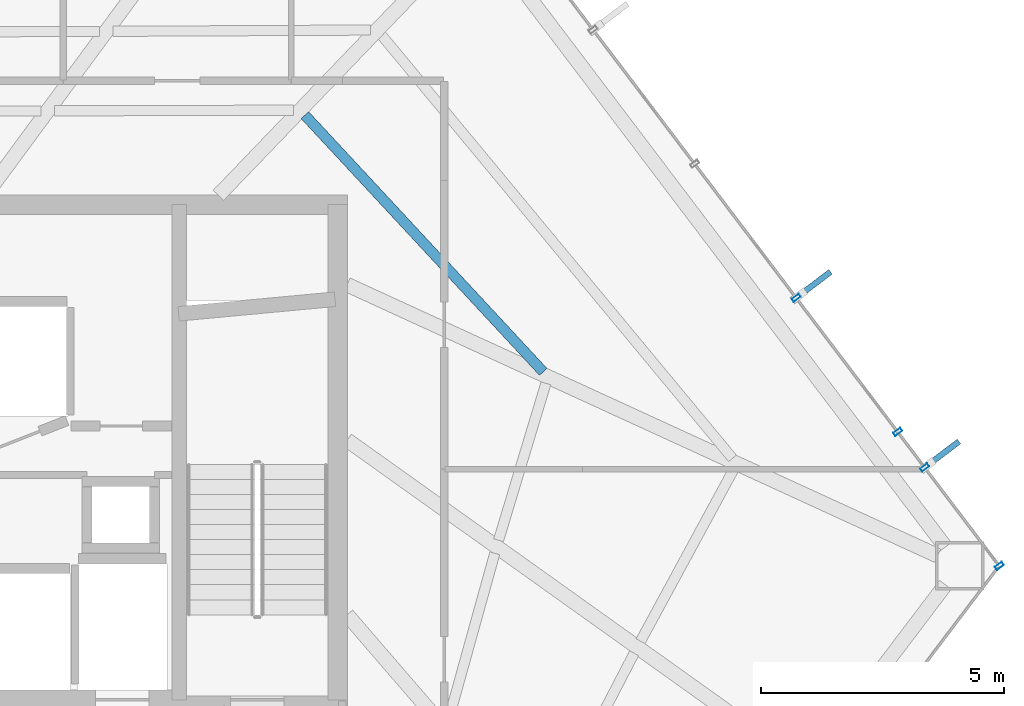
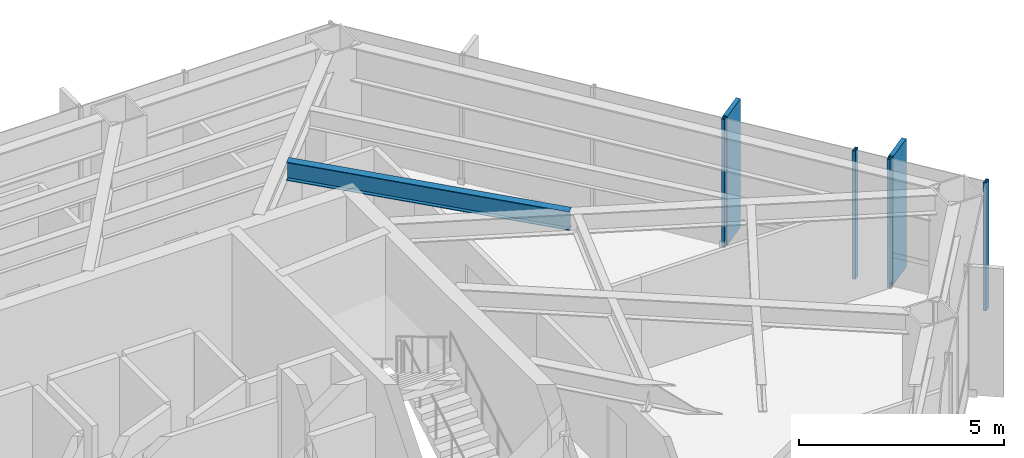
# One storey, part 16 of 24: 6 members, 1 beam, 1 element without a shape of its own.
"""IFC4 building model written with IfcOpenShell, lengths in metres."""

import ifcopenshell
import ifcopenshell.guid

model = None  # the IFC model being written
_history = None  # IfcOwnerHistory: only IFC2X3 demands one
_inside = {}  # id of a spatial element -> (the spatial element, [elements in it])
_under = {}  # id of a project, library or spatial element -> (it, [spatial elements below it])
_declared = {}  # id of a project -> (the project, [libraries it declares])
_typed = {}  # id of a type object -> (the type object, [elements of that type])
_made_of = {}  # id of a material, layer set ... -> (it, [elements and type objects made of it])


def new_model(schema):
    """Start an empty IFC model of exactly this schema.

    Asked for "IFC4X3", IfcOpenShell would pick the latest addendum, in which some entities
    have other attributes; the version numbers below select the first issue.
    IFC2X3 requires an IfcOwnerHistory on every rooted entity: one is made here for all.
    """
    global model, _history
    if schema == "IFC4X3":
        model = ifcopenshell.file(schema_version=(4, 3, 0, 0))
    else:
        model = ifcopenshell.file(schema=schema)
    _inside.clear()
    _under.clear()
    _declared.clear()
    _typed.clear()
    _made_of.clear()
    _history = None
    if model.schema == "IFC2X3":
        org = make("IfcOrganization", Name="unknown")
        user = make(
            "IfcPersonAndOrganization",
            ThePerson=make("IfcPerson", FamilyName="unknown"),
            TheOrganization=org,
        )
        app = make(
            "IfcApplication",
            ApplicationDeveloper=org,
            Version="unknown",
            ApplicationFullName="unknown",
            ApplicationIdentifier="unknown",
        )
        _history = make(
            "IfcOwnerHistory",
            OwningUser=user,
            OwningApplication=app,
            ChangeAction="ADDED",
            CreationDate=0,
        )
    return model


def make(cls, **values):
    """One entity of the class cls with the attributes given. An attribute that is None is left unset."""
    return model.create_entity(
        cls, **{name: value for name, value in values.items() if value is not None}
    )


def rooted(cls, **values):
    """An entity with a GlobalId (a new one), such as an element, a storey or a relation."""
    return make(cls, GlobalId=ifcopenshell.guid.new(), OwnerHistory=_history, **values)


def si_unit(unit_type, name, prefix=None):
    """IfcSIUnit, for example si_unit("LENGTHUNIT", "METRE", prefix="MILLI")."""
    return make("IfcSIUnit", UnitType=unit_type, Prefix=prefix, Name=name)


def assignment(units):
    """IfcUnitAssignment: the units of a project."""
    return None if units is None else make("IfcUnitAssignment", Units=units)


def point(xyz):
    """IfcCartesianPoint."""
    return None if xyz is None else make("IfcCartesianPoint", Coordinates=xyz)


def direction(xyz):
    """IfcDirection."""
    return None if xyz is None else make("IfcDirection", DirectionRatios=xyz)


def frame(location, z_axis=None, x_axis=None):
    """IfcAxis2Placement3D, a coordinate frame: its origin and axes. An axis left out is left unset."""
    return make(
        "IfcAxis2Placement3D",
        Location=point(location),
        Axis=direction(z_axis),
        RefDirection=direction(x_axis),
    )


def frame_2d(location, x_axis=None):
    """IfcAxis2Placement2D, a coordinate frame in the plane: its origin and x axis."""
    return make(
        "IfcAxis2Placement2D", Location=point(location), RefDirection=direction(x_axis)
    )


def origin():
    """The frame at (0, 0, 0) with its axes left unset."""
    return frame((0.0, 0.0, 0.0))


def origin_2d():
    """The frame at (0, 0) in the plane with its x axis left unset."""
    return frame_2d((0.0, 0.0))


def place(relative_to, where):
    """IfcLocalPlacement: puts the frame where relative to a parent placement (None: the world)."""
    return make(
        "IfcLocalPlacement", PlacementRelTo=relative_to, RelativePlacement=where
    )


def context(
    kind, dimensions, precision=None, world=None, true_north=None, identifier=None
):
    """IfcGeometricRepresentationContext, for example the 3D "Model" context."""
    return make(
        "IfcGeometricRepresentationContext",
        ContextIdentifier=identifier,
        ContextType=kind,
        CoordinateSpaceDimension=dimensions,
        Precision=precision,
        WorldCoordinateSystem=world,
        TrueNorth=true_north,
    )


def subcontext(parent, identifier, kind, view, scale=None):
    """IfcGeometricRepresentationSubContext, for example "Body" below "Model"."""
    return make(
        "IfcGeometricRepresentationSubContext",
        ContextIdentifier=identifier,
        ContextType=kind,
        ParentContext=parent,
        TargetScale=scale,
        TargetView=view,
    )


def project(units=None, contexts=None):
    """IfcProject with its units and contexts."""
    return rooted(
        "IfcProject",
        Name="project",
        RepresentationContexts=contexts,
        UnitsInContext=assignment(units),
    )


def spatial(cls, under=None, at=None, **own):
    """A site, building, storey or space (cls), placed at a placement, below another one or the project."""
    s = rooted(cls, ObjectPlacement=at, **own)
    if under is not None:
        _under.setdefault(under.id(), (under, []))[1].append(s)
    return s


def profile(cls, at=None, kind="AREA", **sizes):
    """A parametric profile (cls). Its sizes go by their IFC names, for example OverallWidth=200.0."""
    return make(cls, ProfileType=kind, Position=at, **sizes)


def rectangle(**sizes):
    """IfcRectangleProfileDef."""
    return profile("IfcRectangleProfileDef", **sizes)


def hollow_rectangle(**sizes):
    """IfcRectangleHollowProfileDef."""
    return profile("IfcRectangleHollowProfileDef", **sizes)


def i_section(**sizes):
    """IfcIShapeProfileDef."""
    return profile("IfcIShapeProfileDef", **sizes)


def extrude(swept, where, along, depth):
    """IfcExtrudedAreaSolid: the profile swept, set in the frame where, extruded along a direction by depth."""
    return make(
        "IfcExtrudedAreaSolid",
        SweptArea=swept,
        Position=where,
        ExtrudedDirection=direction(along),
        Depth=depth,
    )


def shape(context_of_items, identifier, shape_type, items):
    """IfcShapeRepresentation: the items that make up one representation, for example the "Body"."""
    return make(
        "IfcShapeRepresentation",
        ContextOfItems=context_of_items,
        RepresentationIdentifier=identifier,
        RepresentationType=shape_type,
        Items=items,
    )


def material(Name=None, Category=None):
    """IfcMaterial."""
    return make("IfcMaterial", Name=Name, Category=Category)


def layer(
    of_material, thickness, ventilated=None, Name=None, Category=None, Priority=None
):
    """IfcMaterialLayer: one layer of a wall or slab, of a material (None: an air gap)."""
    return make(
        "IfcMaterialLayer",
        Material=of_material,
        LayerThickness=thickness,
        IsVentilated=ventilated,
        Name=Name,
        Category=Category,
        Priority=Priority,
    )


def layer_set(layers, Name=None):
    """IfcMaterialLayerSet."""
    return make("IfcMaterialLayerSet", MaterialLayers=layers, LayerSetName=Name)


def material_profile(
    of_material, cross_section, Name=None, Category=None, Priority=None
):
    """IfcMaterialProfile: a cross section and its material."""
    return make(
        "IfcMaterialProfile",
        Name=Name,
        Material=of_material,
        Profile=cross_section,
        Priority=Priority,
        Category=Category,
    )


def profile_set(profiles, Name=None, composite=None):
    """IfcMaterialProfileSet."""
    return make(
        "IfcMaterialProfileSet",
        Name=Name,
        MaterialProfiles=profiles,
        CompositeProfile=composite,
    )


def made_of(thing, what):
    """Note that an element or type object is made of a material, layer set ...; save() writes the relation."""
    if what is not None:
        _made_of.setdefault(what.id(), (what, []))[1].append(thing)
    return thing


def type_object(cls, material=None, **own):
    """A type object (cls), such as IfcWallType, which elements share."""
    return made_of(rooted(cls, **own), material)


def element(
    cls,
    number,
    at=None,
    inside=None,
    cuts=None,
    type_object=None,
    material=None,
    context=None,
    identifier="Body",
    shape_type=None,
    held_by="IfcProductDefinitionShape",
    body=None,
    shapes=None,
    **own,
):
    """One element of the class cls, such as IfcWall. Its Tag is "e" and its number.

    at: its placement. inside: the storey or other place that contains it. cuts: it is an
    opening in that element (IfcRelVoidsElement). A single representation is given by context,
    identifier, shape_type and body (its items); several are given by shapes. held_by: the class
    of the entity that holds the representations. save() writes the other relations.
    """
    e = rooted(cls, Tag="e%d" % number, ObjectPlacement=at, **own)
    if body is not None:
        shapes = [shape(context, identifier, shape_type, body)]
    if shapes is not None:
        e.Representation = make(held_by, Representations=shapes)
    if inside is not None:
        _inside.setdefault(inside.id(), (inside, []))[1].append(e)
    if cuts is not None:
        rooted(
            "IfcRelVoidsElement", RelatingBuildingElement=cuts, RelatedOpeningElement=e
        )
    if type_object is not None:
        _typed.setdefault(type_object.id(), (type_object, []))[1].append(e)
    return made_of(e, material)


def aggregate(whole, parts):
    """IfcRelAggregates: a whole, such as a stair, and the parts it consists of."""
    return rooted("IfcRelAggregates", RelatingObject=whole, RelatedObjects=parts)


def save(model, path):
    """Write the relations noted so far, then the file.

    IfcRelAggregates (storeys below a building ...), IfcRelContainedInSpatialStructure (elements
    in a storey), IfcRelDefinesByType, IfcRelAssociatesMaterial and IfcRelDeclares: one each for
    every whole, place, type object, material and project.
    """
    for whole, parts in _under.values():
        aggregate(whole, parts)
    for where, things in _inside.values():
        rooted(
            "IfcRelContainedInSpatialStructure",
            RelatedElements=things,
            RelatingStructure=where,
        )
    for kind, things in _typed.values():
        rooted("IfcRelDefinesByType", RelatedObjects=things, RelatingType=kind)
    for what, things in _made_of.values():
        rooted("IfcRelAssociatesMaterial", RelatedObjects=things, RelatingMaterial=what)
    for by, libraries in _declared.values():
        rooted("IfcRelDeclares", RelatingContext=by, RelatedDefinitions=libraries)
    model.write(path)


model = new_model("IFC4")

# Units and contexts
model_context = context("Model", 3, precision=1e-05, world=origin(), true_north=direction((0.0, 1.0)))
body_context = subcontext(model_context, "Body", "Model", "MODEL_VIEW")
ifc_project = project(units=[si_unit("LENGTHUNIT", "METRE"), si_unit("AREAUNIT", "SQUARE_METRE"), si_unit("VOLUMEUNIT", "CUBIC_METRE"), si_unit("PLANEANGLEUNIT", "RADIAN"), si_unit("MASSUNIT", "GRAM", prefix="KILO")], contexts=[model_context])

# Site, building, storey
site_placement = place(None, origin())
site = spatial("IfcSite", under=ifc_project, at=site_placement, CompositionType="ELEMENT")
building_placement = place(site_placement, origin())
building = spatial("IfcBuilding", under=site, at=building_placement, Name="Zarrinselat Tower", CompositionType="ELEMENT")
storey_placement = place(building_placement, frame((0.0, 0.0, 64.260009765625)))
storey = spatial("IfcBuildingStorey", under=building, at=storey_placement, Name="L15", CompositionType="ELEMENT", Elevation=64.260009765625)

# Beam
ifc_material_1 = material(Name="Steel S355J2", Category="steel")
ifc_material_profile_1 = material_profile(ifc_material_1, i_section(OverallWidth=0.2099609375, OverallDepth=0.550048828125, WebThickness=0.010986328125, FlangeThickness=0.01708984375, at=origin_2d()), Name="IPE 550")
ifc_profile_set_1 = profile_set([ifc_material_profile_1], Name="Steel S355J2")
beam_type = type_object("IfcBeamType", Name="BM-IPE550", PredefinedType="JOIST", material=ifc_profile_set_1)
beam_placement = place(storey_placement, frame((47.580078125, 45.29150390625, 3.544921875), z_axis=(0.68046537645, -0.732780234076, 0.0), x_axis=(0.732780234076, 0.68046537645, 0.0)))
element("IfcBeam", 1, at=beam_placement, inside=storey, type_object=beam_type, Name="L15 Composite Floor Joist 6-2", PredefinedType="JOIST", context=body_context, shape_type="SweptSolid", body=[
    extrude(i_section(OverallWidth=0.2099609375, OverallDepth=0.550048828125, WebThickness=0.010986328125, FlangeThickness=0.01708984375, at=origin_2d()), origin(), (0.0, 0.0, 1.0), 7.21484375),
])

# Curtain wall, members
ifc_material_2 = material(Name="Extruded Aluminium Alloy EN AW-6063 T6", Category="aluminium")
ifc_layer = layer(ifc_material_2, 0.18505859375)
ifc_layer_set = layer_set([ifc_layer], Name="Extruded Aluminium Alloy EN AW-6063 T6")
curtain_wall_type = type_object("IfcCurtainWallType", Name="CWS-OFF", PredefinedType="NOTDEFINED", material=ifc_layer_set)
curtain_wall_placement = place(storey_placement, origin())
curtain_wall = element("IfcCurtainWall", 2, at=curtain_wall_placement, inside=storey, type_object=curtain_wall_type, Name="L15 Unitised Curtain Wall CW-L15-E03", PredefinedType="NOTDEFINED")
ifc_material_3 = material(Name="Extruded Aluminium Alloy EN AW-6063 T6", Category="aluminium")
ifc_material_profile_2 = material_profile(ifc_material_3, hollow_rectangle(XDim=0.080078125, YDim=0.179931640625, WallThickness=0.0048828125, at=origin_2d()), Name="RHS 180x80x5")
ifc_profile_set_2 = profile_set([ifc_material_profile_2], Name="Extruded Aluminium Alloy EN AW-6063 T6")
member_type_1 = type_object("IfcMemberType", Name="MEM-CW-MUL", PredefinedType="MULLION", material=ifc_profile_set_2)
member_1_placement = place(storey_placement, frame((57.699951171875, 41.529296875, 0.0), z_axis=(0.0, 0.0, 1.0), x_axis=(0.603859800485, -0.797090547779, 0.0)))
member_1 = element("IfcMember", 3, at=member_1_placement, type_object=member_type_1, Name="CW-L15-E03 Mullion 3", PredefinedType="MULLION", context=body_context, shape_type="SweptSolid", body=[
    extrude(hollow_rectangle(XDim=0.080078125, YDim=0.179931640625, WallThickness=0.0048828125, at=origin_2d()), origin(), (0.0, 0.0, 1.0), 3.820068359375),
])
member_2_placement = place(storey_placement, frame((59.791259765625, 38.768798828125, 0.0), z_axis=(0.0, 0.0, 1.0), x_axis=(0.603859800485, -0.797090547779, 0.0)))
member_2 = element("IfcMember", 4, at=member_2_placement, type_object=member_type_1, Name="CW-L15-E03 Mullion 4", PredefinedType="MULLION", context=body_context, shape_type="SweptSolid", body=[
    extrude(hollow_rectangle(XDim=0.080078125, YDim=0.179931640625, WallThickness=0.0048828125, at=origin_2d()), origin(), (0.0, 0.0, 1.0), 3.820068359375),
])
member_3_placement = place(storey_placement, frame((60.34619140625, 38.0361328125, 0.0), z_axis=(0.0, 0.0, 1.0), x_axis=(0.603859800485, -0.797090547779, 0.0)))
member_3 = element("IfcMember", 5, at=member_3_placement, type_object=member_type_1, Name="CW-L15-E03 Mullion 5", PredefinedType="MULLION", context=body_context, shape_type="SweptSolid", body=[
    extrude(hollow_rectangle(XDim=0.080078125, YDim=0.179931640625, WallThickness=0.0048828125, at=origin_2d()), origin(), (0.0, 0.0, 1.0), 3.820068359375),
])
member_4_placement = place(storey_placement, frame((61.8828125, 36.00830078125, 0.0), z_axis=(0.0, 0.0, 1.0), x_axis=(0.603859800485, -0.797090547779, 0.0)))
member_4 = element("IfcMember", 6, at=member_4_placement, type_object=member_type_1, Name="CW-L15-E03 Mullion 6", PredefinedType="MULLION", context=body_context, shape_type="SweptSolid", body=[
    extrude(hollow_rectangle(XDim=0.080078125, YDim=0.179931640625, WallThickness=0.0048828125, at=origin_2d()), origin(), (0.0, 0.0, 1.0), 3.820068359375),
])
ifc_material_4 = material(Name="Honed Cream Travertine Stone", Category="masonry")
ifc_material_profile_3 = material_profile(ifc_material_4, rectangle(XDim=0.1201171875, YDim=0.85009765625, at=origin_2d()), Name="FIN 850x120")
ifc_profile_set_3 = profile_set([ifc_material_profile_3], Name="Honed Cream Travertine Stone")
member_type_2 = type_object("IfcMemberType", Name="MEM-STONE-FIN", PredefinedType="USERDEFINED", material=ifc_profile_set_3)
member_5_placement = place(storey_placement, frame((58.066650390625, 41.80712890625, 0.0), z_axis=(0.0, 0.0, 1.0), x_axis=(0.603859800485, -0.797090547779, 0.0)))
member_5 = element("IfcMember", 7, at=member_5_placement, type_object=member_type_2, Name="L15 Stone Shading Fin CW-L15-E03-03", ObjectType="FIN", PredefinedType="USERDEFINED", context=body_context, shape_type="SweptSolid", body=[
    extrude(rectangle(XDim=0.1201171875, YDim=0.85009765625, at=origin_2d()), origin(), (0.0, 0.0, 1.0), 3.820068359375),
])
member_6_placement = place(storey_placement, frame((60.712890625, 38.31396484375, 0.0), z_axis=(0.0, 0.0, 1.0), x_axis=(0.603859800485, -0.797090547779, 0.0)))
member_6 = element("IfcMember", 8, at=member_6_placement, type_object=member_type_2, Name="L15 Stone Shading Fin CW-L15-E03-05", ObjectType="FIN", PredefinedType="USERDEFINED", context=body_context, shape_type="SweptSolid", body=[
    extrude(rectangle(XDim=0.1201171875, YDim=0.85009765625, at=origin_2d()), origin(), (0.0, 0.0, 1.0), 3.820068359375),
])
aggregate(curtain_wall, [member_1, member_5, member_2, member_3, member_6, member_4])

save(model, "model.ifc")
